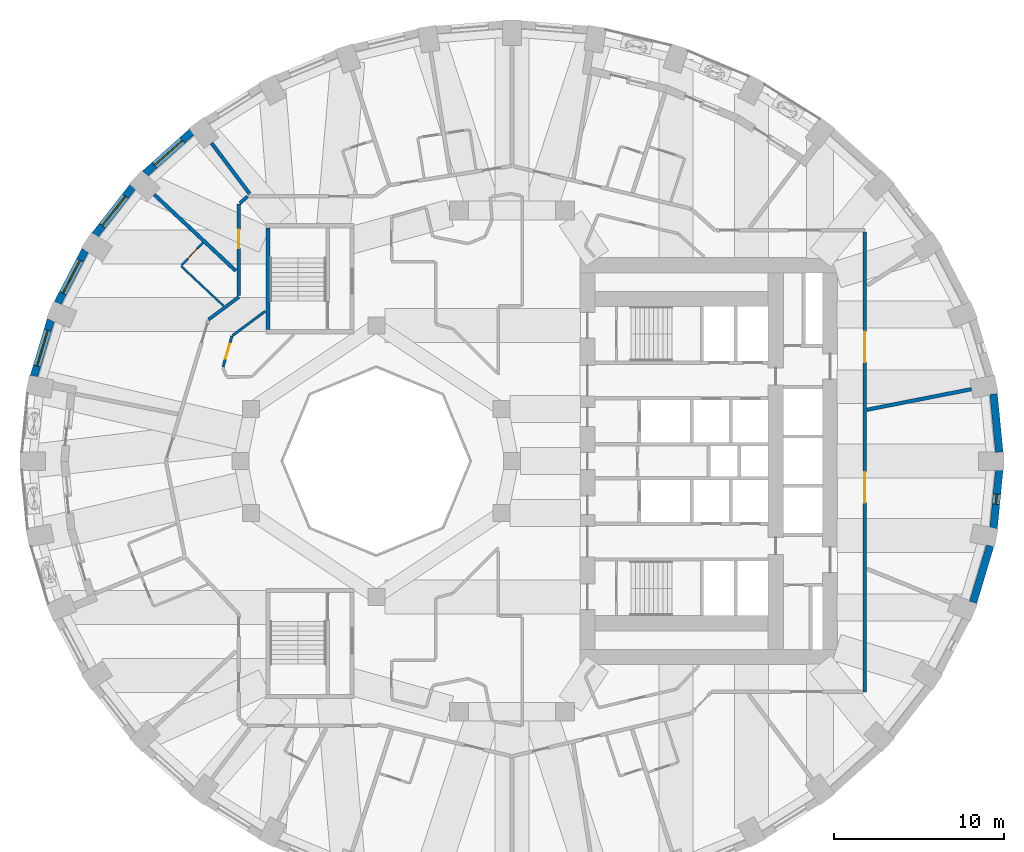
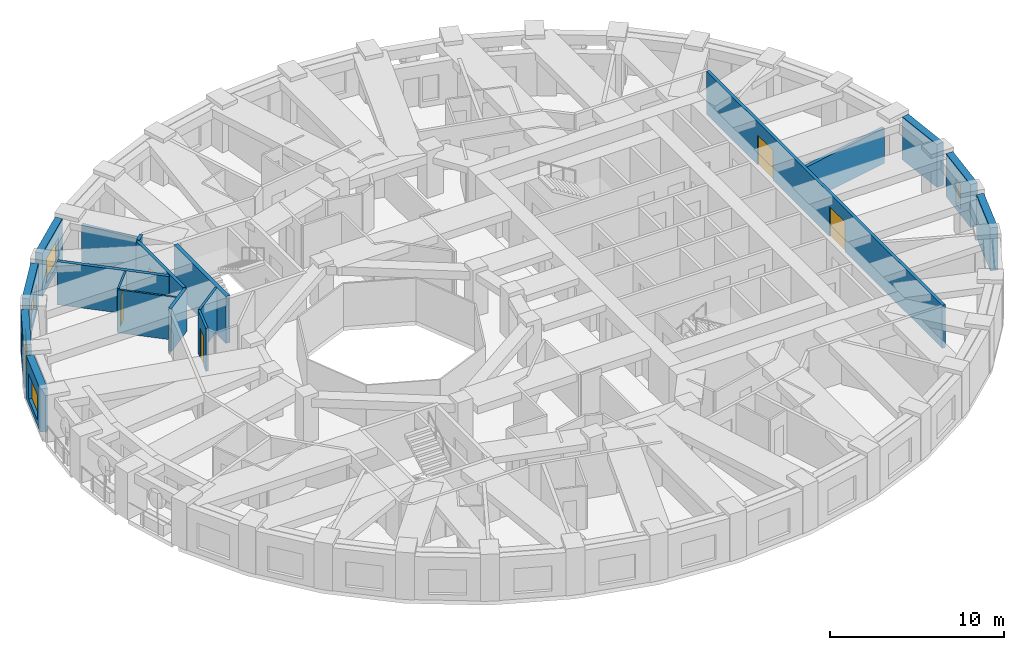
# One storey, part 7 of 14: 19 walls, 5 doors, 5 windows, 10 openings.
"""IFC4 building model written with IfcOpenShell, lengths in metres."""

from ifc_helpers import new_model, si_unit, direction, frame, frame_2d, origin, place, context, subcontext, project, spatial, rectangle, extrude, material, layer, layer_set, type_object, element, fill, save


model = new_model("IFC4")

# Units and contexts
model_context = context("Model", 3, precision=1e-05, world=origin(), true_north=direction((0.0, 1.0)))
body_context = subcontext(model_context, "Body", "Model", "MODEL_VIEW")
ifc_project = project(units=[si_unit("LENGTHUNIT", "METRE"), si_unit("AREAUNIT", "SQUARE_METRE"), si_unit("VOLUMEUNIT", "CUBIC_METRE"), si_unit("PLANEANGLEUNIT", "RADIAN"), si_unit("MASSUNIT", "GRAM", prefix="KILO")], contexts=[model_context])

# Site, building, storey
site_placement = place(None, origin())
site = spatial("IfcSite", under=ifc_project, at=site_placement, CompositionType="ELEMENT")
building_placement = place(site_placement, origin())
building = spatial("IfcBuilding", under=site, at=building_placement, Name="Taillehof Tower", CompositionType="ELEMENT")
storey_placement = place(building_placement, frame((0.0, 0.0, 25.0)))
storey = spatial("IfcBuildingStorey", under=building, at=storey_placement, Name="L05", CompositionType="ELEMENT", Elevation=25.0)

# Wall
ifc_material_1 = material(Name="Brick masonry", Category="masonry")
ifc_layer_1 = layer(ifc_material_1, 0.449951171875)
ifc_layer_set_1 = layer_set([ifc_layer_1], Name="Brick infill wall 450")
wall_type_1 = type_object("IfcWallType", Name="Brick infill wall 450", PredefinedType="SOLIDWALL", material=ifc_layer_set_1)
wall_1_placement = place(storey_placement, frame((28.721923828125, 0.530029296875, 0.0), z_axis=(0.0, 0.0, 1.0), x_axis=(-0.097389581596, 0.995246336038, 0.0)))
element("IfcWall", 1, at=wall_1_placement, inside=storey, type_object=wall_type_1, Name="Brick wall L05 bay 1", PredefinedType="SOLIDWALL", context=body_context, shape_type="SweptSolid", body=[
    extrude(rectangle(XDim=3.44189453125, YDim=0.449951171875, at=frame_2d((1.720947265625, 0.0))), origin(), (0.0, 0.0, 1.0), 3.02001953125),
])

# Wall, opening, window
wall_2_placement = place(storey_placement, frame((-18.87060546875, 19.406982421875, 0.0), z_axis=(0.0, 0.0, 1.0), x_axis=(-0.745526233716, -0.66647628228, 0.0)))
wall_2 = element("IfcWall", 2, at=wall_2_placement, inside=storey, type_object=wall_type_1, Name="Brick wall L05 bay 14", PredefinedType="SOLIDWALL", context=body_context, shape_type="SweptSolid", body=[
    extrude(rectangle(XDim=3.69677734375, YDim=0.449951171875, at=frame_2d((1.848388671875, 0.0))), origin(), (0.0, 0.0, 1.0), 3.02001953125),
])
opening_1_placement = place(wall_2_placement, frame((0.74853515625, 0.0, 0.39990234375)))
opening_1 = element("IfcOpeningElement", 3, at=opening_1_placement, cuts=wall_2, Name="Opening W1", PredefinedType="OPENING", context=body_context, shape_type="SweptSolid", body=[
    extrude(rectangle(XDim=2.199951171875, YDim=1.75, at=frame_2d((1.10009765625, 0.875))), frame((0.0, 0.23486328125, 0.0), z_axis=(0.0, -1.0, 0.0), x_axis=(1.0, 0.0, 0.0)), (0.0, 0.0, 1.0), 0.469970703125),
])
ifc_material_2 = material(Name="Aluminium window frame with clear double glazing", Category="aluminium")
window_type_1 = type_object("IfcWindowType", Name="Deep-set window 2200x1750", PartitioningType="SINGLE_PANEL", PredefinedType="WINDOW", material=ifc_material_2)
window_1_placement = place(opening_1_placement, origin())
window_1 = element("IfcWindow", 4, at=window_1_placement, inside=storey, type_object=window_type_1, Name="W1", OverallHeight=1.75, OverallWidth=2.199951171875, PartitioningType="SINGLE_PANEL", PredefinedType="WINDOW", context=body_context, shape_type="SweptSolid", body=[
    extrude(rectangle(XDim=2.199951171875, YDim=1.75, at=frame_2d((1.10009765625, 0.875))), frame((0.0, 0.034912109375, 0.0), z_axis=(0.0, -1.0, 0.0), x_axis=(1.0, 0.0, 0.0)), (0.0, 0.0, 1.0), 0.06005859375),
])
fill(opening_1, window_1)

wall_3_placement = place(storey_placement, frame((-22.3515625, 16.169677734375, 0.0), z_axis=(0.0, 0.0, 1.0), x_axis=(-0.616661975264, -0.787228053529, 0.0)))
wall_3 = element("IfcWall", 5, at=wall_3_placement, inside=storey, type_object=wall_type_1, Name="Brick wall L05 bay 15", PredefinedType="SOLIDWALL", context=body_context, shape_type="SweptSolid", body=[
    extrude(rectangle(XDim=3.60986328125, YDim=0.449951171875, at=frame_2d((1.804931640625, 0.0))), origin(), (0.0, 0.0, 1.0), 3.02001953125),
])
opening_2_placement = place(wall_3_placement, frame((0.704833984375, 0.0, 0.39990234375)))
opening_2 = element("IfcOpeningElement", 6, at=opening_2_placement, cuts=wall_3, Name="Opening W1", PredefinedType="OPENING", context=body_context, shape_type="SweptSolid", body=[
    extrude(rectangle(XDim=2.199951171875, YDim=1.75, at=frame_2d((1.10009765625, 0.875))), frame((0.0, 0.23486328125, 0.0), z_axis=(0.0, -1.0, 0.0), x_axis=(1.0, 0.0, 0.0)), (0.0, 0.0, 1.0), 0.469970703125),
])
window_2_placement = place(opening_2_placement, origin())
window_2 = element("IfcWindow", 7, at=window_2_placement, inside=storey, type_object=window_type_1, Name="W1", OverallHeight=1.75, OverallWidth=2.199951171875, PartitioningType="SINGLE_PANEL", PredefinedType="WINDOW", context=body_context, shape_type="SweptSolid", body=[
    extrude(rectangle(XDim=2.199951171875, YDim=1.75, at=frame_2d((1.10009765625, 0.875))), frame((0.0, 0.034912109375, 0.0), z_axis=(0.0, -1.0, 0.0), x_axis=(1.0, 0.0, 0.0)), (0.0, 0.0, 1.0), 0.06005859375),
])
fill(opening_2, window_2)

wall_4_placement = place(storey_placement, frame((-25.152099609375, 12.436767578125, 0.0), z_axis=(0.0, 0.0, 1.0), x_axis=(-0.462492775226, -0.886623050041, 0.0)))
wall_4 = element("IfcWall", 8, at=wall_4_placement, inside=storey, type_object=wall_type_1, Name="Brick wall L05 bay 16", PredefinedType="SOLIDWALL", context=body_context, shape_type="SweptSolid", body=[
    extrude(rectangle(XDim=3.531982421875, YDim=0.449951171875, at=frame_2d((1.76611328125, 0.0))), origin(), (0.0, 0.0, 1.0), 3.02001953125),
])
opening_3_placement = place(wall_4_placement, frame((0.666015625, 0.0, 0.39990234375)))
opening_3 = element("IfcOpeningElement", 9, at=opening_3_placement, cuts=wall_4, Name="Opening W1", PredefinedType="OPENING", context=body_context, shape_type="SweptSolid", body=[
    extrude(rectangle(XDim=2.199951171875, YDim=1.75, at=frame_2d((1.10009765625, 0.875))), frame((0.0, 0.23486328125, 0.0), z_axis=(0.0, -1.0, 0.0), x_axis=(1.0, 0.0, 0.0)), (0.0, 0.0, 1.0), 0.469970703125),
])
window_3_placement = place(opening_3_placement, origin())
window_3 = element("IfcWindow", 10, at=window_3_placement, inside=storey, type_object=window_type_1, Name="W1", OverallHeight=1.75, OverallWidth=2.199951171875, PartitioningType="SINGLE_PANEL", PredefinedType="WINDOW", context=body_context, shape_type="SweptSolid", body=[
    extrude(rectangle(XDim=2.199951171875, YDim=1.75, at=frame_2d((1.10009765625, 0.875))), frame((0.0, 0.034912109375, 0.0), z_axis=(0.0, -1.0, 0.0), x_axis=(1.0, 0.0, 0.0)), (0.0, 0.0, 1.0), 0.06005859375),
])
fill(opening_3, window_3)

wall_5_placement = place(storey_placement, frame((-27.184814453125, 8.322998046875, 0.0), z_axis=(0.0, 0.0, 1.0), x_axis=(-0.287064133733, -0.957911364963, 0.0)))
wall_5 = element("IfcWall", 11, at=wall_5_placement, inside=storey, type_object=wall_type_1, Name="Brick wall L05 bay 17", PredefinedType="SOLIDWALL", context=body_context, shape_type="SweptSolid", body=[
    extrude(rectangle(XDim=3.473388671875, YDim=0.449951171875, at=frame_2d((1.73681640625, 0.0))), origin(), (0.0, 0.0, 1.0), 3.02001953125),
])
opening_4_placement = place(wall_5_placement, frame((0.63671875, 0.0, 0.39990234375)))
opening_4 = element("IfcOpeningElement", 12, at=opening_4_placement, cuts=wall_5, Name="Opening W1", PredefinedType="OPENING", context=body_context, shape_type="SweptSolid", body=[
    extrude(rectangle(XDim=2.199951171875, YDim=1.75, at=frame_2d((1.10009765625, 0.875))), frame((0.0, 0.23486328125, 0.0), z_axis=(0.0, -1.0, 0.0), x_axis=(1.0, 0.0, 0.0)), (0.0, 0.0, 1.0), 0.469970703125),
])
window_4_placement = place(opening_4_placement, origin())
window_4 = element("IfcWindow", 13, at=window_4_placement, inside=storey, type_object=window_type_1, Name="W1", OverallHeight=1.75, OverallWidth=2.199951171875, PartitioningType="SINGLE_PANEL", PredefinedType="WINDOW", context=body_context, shape_type="SweptSolid", body=[
    extrude(rectangle(XDim=2.199951171875, YDim=1.75, at=frame_2d((1.10009765625, 0.875))), frame((0.0, 0.034912109375, 0.0), z_axis=(0.0, -1.0, 0.0), x_axis=(1.0, 0.0, 0.0)), (0.0, 0.0, 1.0), 0.06005859375),
])
fill(opening_4, window_4)

# Wall
wall_6_placement = place(storey_placement, frame((27.184814453125, -8.322998046875, 0.0), z_axis=(0.0, 0.0, 1.0), x_axis=(0.287064133733, 0.957911364963, 0.0)))
element("IfcWall", 14, at=wall_6_placement, inside=storey, type_object=wall_type_1, Name="Brick wall L05 bay 35", PredefinedType="SOLIDWALL", context=body_context, shape_type="SweptSolid", body=[
    extrude(rectangle(XDim=3.473388671875, YDim=0.449951171875, at=frame_2d((1.73681640625, 0.0))), origin(), (0.0, 0.0, 1.0), 3.02001953125),
])

# Wall, opening, window
wall_7_placement = place(storey_placement, frame((28.38671875, -3.95556640625, 0.0), z_axis=(0.0, 0.0, 1.0), x_axis=(0.097389581596, 0.995246336038, 0.0)))
wall_7 = element("IfcWall", 15, at=wall_7_placement, inside=storey, type_object=wall_type_1, Name="Brick wall L05 bay 36", PredefinedType="SOLIDWALL", context=body_context, shape_type="SweptSolid", body=[
    extrude(rectangle(XDim=3.44189453125, YDim=0.449951171875, at=frame_2d((1.720947265625, 0.0))), origin(), (0.0, 0.0, 1.0), 3.02001953125),
])
opening_5_placement = place(wall_7_placement, frame((1.4208984375, 0.0, 0.39990234375)))
opening_5 = element("IfcOpeningElement", 16, at=opening_5_placement, cuts=wall_7, Name="Opening W6", PredefinedType="OPENING", context=body_context, shape_type="SweptSolid", body=[
    extrude(rectangle(XDim=0.60009765625, YDim=1.75, at=frame_2d((0.300048828125, 0.875))), frame((0.0, 0.23486328125, 0.0), z_axis=(0.0, -1.0, 0.0), x_axis=(1.0, 0.0, 0.0)), (0.0, 0.0, 1.0), 0.469970703125),
])
ifc_material_3 = material(Name="Aluminium window frame with clear double glazing", Category="aluminium")
window_type_2 = type_object("IfcWindowType", Name="Slot window 600x1750", PartitioningType="SINGLE_PANEL", PredefinedType="WINDOW", material=ifc_material_3)
window_5_placement = place(opening_5_placement, origin())
window_5 = element("IfcWindow", 17, at=window_5_placement, inside=storey, type_object=window_type_2, Name="W6", OverallHeight=1.75, OverallWidth=0.60009765625, PartitioningType="SINGLE_PANEL", PredefinedType="WINDOW", context=body_context, shape_type="SweptSolid", body=[
    extrude(rectangle(XDim=0.60009765625, YDim=1.75, at=frame_2d((0.300048828125, 0.875))), frame((0.0, 0.034912109375, 0.0), z_axis=(0.0, -1.0, 0.0), x_axis=(1.0, 0.0, 0.0)), (0.0, 0.0, 1.0), 0.06005859375),
])
fill(opening_5, window_5)

# Wall
ifc_material_4 = material(Name="Gypsum board on steel studs, two layers each side", Category="steel")
ifc_layer_2 = layer(ifc_material_4, 0.199951171875)
ifc_layer_set_2 = layer_set([ifc_layer_2], Name="Compartment wall corridor 200")
wall_type_2 = type_object("IfcWallType", Name="Compartment wall corridor 200", PredefinedType="PARTITIONING", material=ifc_layer_set_2)
wall_8_placement = place(storey_placement, frame((-17.88427734375, 8.34375, 0.0), z_axis=(0.0, 0.0, 1.0), x_axis=(0.802260120548, 0.596974621721, 0.0)))
element("IfcWall", 18, at=wall_8_placement, inside=storey, type_object=wall_type_2, Name="Compartment wall", PredefinedType="PARTITIONING", context=body_context, shape_type="SweptSolid", body=[
    extrude(rectangle(XDim=2.223876953125, YDim=0.199951171875, at=frame_2d((1.11181640625, 0.0))), origin(), (0.0, 0.0, 1.0), 3.02001953125),
])

# Wall, opening, door
wall_9_placement = place(storey_placement, frame((-16.10009765625, 9.75146484375, 0.0), z_axis=(0.0, 0.0, 1.0), x_axis=(0.0, 1.0, 0.0)))
wall_9 = element("IfcWall", 19, at=wall_9_placement, inside=storey, type_object=wall_type_2, Name="Compartment wall", PredefinedType="PARTITIONING", context=body_context, shape_type="SweptSolid", body=[
    extrude(rectangle(XDim=5.392578125, YDim=0.199951171875, at=frame_2d((2.6962890625, 0.0))), origin(), (0.0, 0.0, 1.0), 3.02001953125),
])
opening_6_placement = place(wall_9_placement, frame((2.7861328125, 0.0, 0.0)))
opening_6 = element("IfcOpeningElement", 20, at=opening_6_placement, cuts=wall_9, Name="Opening D0551", PredefinedType="OPENING", context=body_context, shape_type="SweptSolid", body=[
    extrude(rectangle(XDim=1.10009765625, YDim=2.10009765625, at=frame_2d((0.550048828125, 1.050048828125))), frame((0.0, 0.10986328125, 0.0), z_axis=(0.0, -1.0, 0.0), x_axis=(1.0, 0.0, 0.0)), (0.0, 0.0, 1.0), 0.219970703125),
])
ifc_material_5 = material(Name="Timber door leaf in steel frame", Category="steel")
door_type_1 = type_object("IfcDoorType", Name="Suite entrance door EI 30 1100 x 2100", OperationType="SINGLE_SWING_LEFT", PredefinedType="DOOR", material=ifc_material_5)
door_1_placement = place(opening_6_placement, origin())
door_1 = element("IfcDoor", 21, at=door_1_placement, inside=storey, type_object=door_type_1, Name="D0551", OperationType="SINGLE_SWING_LEFT", OverallHeight=2.10009765625, OverallWidth=1.10009765625, PredefinedType="DOOR", context=body_context, shape_type="SweptSolid", body=[
    extrude(rectangle(XDim=1.10009765625, YDim=2.10009765625, at=frame_2d((0.550048828125, 1.050048828125))), frame((0.0, 0.02490234375, 0.0), z_axis=(0.0, -1.0, 0.0), x_axis=(1.0, 0.0, 0.0)), (0.0, 0.0, 1.0), 0.050048828125),
])
fill(opening_6, door_1)

# Wall
wall_10_placement = place(storey_placement, frame((-16.04052734375, 15.19775390625, 0.0), z_axis=(0.0, 0.0, 1.0), x_axis=(0.744722115519, 0.667374685359, 0.0)))
element("IfcWall", 22, at=wall_10_placement, inside=storey, type_object=wall_type_2, Name="Compartment wall", PredefinedType="PARTITIONING", context=body_context, shape_type="SweptSolid", body=[
    extrude(rectangle(XDim=0.602783203125, YDim=0.199951171875, at=frame_2d((0.30126953125, 0.0))), origin(), (0.0, 0.0, 1.0), 3.02001953125),
])

# Wall, openings, doors
wall_11_placement = place(storey_placement, frame((20.800048828125, 13.5, 0.0), z_axis=(0.0, 0.0, 1.0), x_axis=(0.0, -1.0, 0.0)))
wall_11 = element("IfcWall", 23, at=wall_11_placement, inside=storey, type_object=wall_type_2, Name="Compartment wall", PredefinedType="PARTITIONING", context=body_context, shape_type="SweptSolid", body=[
    extrude(rectangle(XDim=27.10009765625, YDim=0.199951171875, at=frame_2d((13.550048828125, 0.0))), origin(), (0.0, 0.0, 1.0), 3.02001953125),
])
opening_7_placement = place(wall_11_placement, frame((14.148681640625, 0.0, 0.0)))
opening_7 = element("IfcOpeningElement", 24, at=opening_7_placement, cuts=wall_11, Name="Opening D0570", PredefinedType="OPENING", context=body_context, shape_type="SweptSolid", body=[
    extrude(rectangle(XDim=1.800048828125, YDim=2.10009765625, at=frame_2d((0.89990234375, 1.050048828125))), frame((0.0, 0.10986328125, 0.0), z_axis=(0.0, -1.0, 0.0), x_axis=(1.0, 0.0, 0.0)), (0.0, 0.0, 1.0), 0.219970703125),
])
opening_8_placement = place(wall_11_placement, frame((5.864013671875, 0.0, 0.0)))
opening_8 = element("IfcOpeningElement", 25, at=opening_8_placement, cuts=wall_11, Name="Opening D0571", PredefinedType="OPENING", context=body_context, shape_type="SweptSolid", body=[
    extrude(rectangle(XDim=1.800048828125, YDim=2.10009765625, at=frame_2d((0.89990234375, 1.050048828125))), frame((0.0, 0.10986328125, 0.0), z_axis=(0.0, -1.0, 0.0), x_axis=(1.0, 0.0, 0.0)), (0.0, 0.0, 1.0), 0.219970703125),
])
ifc_material_6 = material(Name="Timber door leaf in steel frame", Category="steel")
door_type_2 = type_object("IfcDoorType", Name="Lounge and meeting room double door EI 30 1800 x 2100", OperationType="SINGLE_SWING_LEFT", PredefinedType="DOOR", material=ifc_material_6)
door_2_placement = place(opening_7_placement, origin())
door_2 = element("IfcDoor", 26, at=door_2_placement, inside=storey, type_object=door_type_2, Name="D0570", OperationType="DOUBLE_DOOR_SINGLE_SWING", OverallHeight=2.10009765625, OverallWidth=1.800048828125, PredefinedType="DOOR", context=body_context, shape_type="SweptSolid", body=[
    extrude(rectangle(XDim=1.800048828125, YDim=2.10009765625, at=frame_2d((0.89990234375, 1.050048828125))), frame((0.0, 0.02490234375, 0.0), z_axis=(0.0, -1.0, 0.0), x_axis=(1.0, 0.0, 0.0)), (0.0, 0.0, 1.0), 0.050048828125),
])
fill(opening_7, door_2)
door_3_placement = place(opening_8_placement, origin())
door_3 = element("IfcDoor", 27, at=door_3_placement, inside=storey, type_object=door_type_2, Name="D0571", OperationType="DOUBLE_DOOR_SINGLE_SWING", OverallHeight=2.10009765625, OverallWidth=1.800048828125, PredefinedType="DOOR", context=body_context, shape_type="SweptSolid", body=[
    extrude(rectangle(XDim=1.800048828125, YDim=2.10009765625, at=frame_2d((0.89990234375, 1.050048828125))), frame((0.0, 0.02490234375, 0.0), z_axis=(0.0, -1.0, 0.0), x_axis=(1.0, 0.0, 0.0)), (0.0, 0.0, 1.0), 0.050048828125),
])
fill(opening_8, door_3)

# Walls
ifc_material_7 = material(Name="Gypsum board on double steel studs with mineral wool", Category="steel")
ifc_layer_3 = layer(ifc_material_7, 0.219970703125)
ifc_layer_set_3 = layer_set([ifc_layer_3], Name="Compartment wall guest room 220")
wall_type_3 = type_object("IfcWallType", Name="Compartment wall guest room 220", PredefinedType="PARTITIONING", material=ifc_layer_set_3)
wall_12_placement = place(storey_placement, frame((27.0849609375, 4.239990234375, 0.0), z_axis=(0.0, 0.0, 1.0), x_axis=(-0.981207724218, -0.192954403772, 0.0)))
element("IfcWall", 28, at=wall_12_placement, inside=storey, type_object=wall_type_3, Name="Compartment wall", PredefinedType="PARTITIONING", context=body_context, shape_type="SweptSolid", body=[
    extrude(rectangle(XDim=6.283447265625, YDim=0.219970703125, at=frame_2d((3.1416015625, 0.0))), origin(), (0.0, 0.0, 1.0), 2.469970703125),
])
wall_13_placement = place(storey_placement, frame((-17.707763671875, 18.7431640625, 0.0), z_axis=(0.0, 0.0, 1.0), x_axis=(0.601172757903, -0.799119086967, 0.0)))
element("IfcWall", 29, at=wall_13_placement, inside=storey, type_object=wall_type_3, Name="Compartment wall", PredefinedType="PARTITIONING", context=body_context, shape_type="SweptSolid", body=[
    extrude(rectangle(XDim=3.728515625, YDim=0.219970703125, at=frame_2d((1.8642578125, 0.0))), origin(), (0.0, 0.0, 1.0), 2.570068359375),
])
wall_14_placement = place(storey_placement, frame((-21.09326171875, 15.7177734375, 0.0), z_axis=(0.0, 0.0, 1.0), x_axis=(0.73009284205, -0.683347965525, 0.0)))
element("IfcWall", 30, at=wall_14_placement, inside=storey, type_object=wall_type_3, Name="Compartment wall", PredefinedType="PARTITIONING", context=body_context, shape_type="SweptSolid", body=[
    extrude(rectangle(XDim=6.6015625, YDim=0.219970703125, at=frame_2d((3.30078125, 0.0))), origin(), (0.0, 0.0, 1.0), 3.02001953125),
])

# Wall, opening, door
ifc_material_8 = material(Name="Gypsum board on steel studs, two layers each side", Category="steel")
ifc_layer_4 = layer(ifc_material_8, 0.14990234375)
ifc_layer_set_4 = layer_set([ifc_layer_4], Name="Compartment wall service room 150")
wall_type_4 = type_object("IfcWallType", Name="Compartment wall service room 150", PredefinedType="PARTITIONING", material=ifc_layer_set_4)
wall_15_placement = place(storey_placement, frame((-17.031982421875, 5.552001953125, 0.0), z_axis=(0.0, 0.0, 1.0), x_axis=(0.277658349549, 0.96067988473, 0.0)))
wall_15 = element("IfcWall", 31, at=wall_15_placement, inside=storey, type_object=wall_type_4, Name="Compartment wall", PredefinedType="PARTITIONING", context=body_context, shape_type="SweptSolid", body=[
    extrude(rectangle(XDim=1.8984375, YDim=0.14990234375, at=frame_2d((0.94921875, 0.0))), origin(), (0.0, 0.0, 1.0), 3.02001953125),
])
opening_9_placement = place(wall_15_placement, frame((0.499267578125, 0.0, 0.0)))
opening_9 = element("IfcOpeningElement", 32, at=opening_9_placement, cuts=wall_15, Name="Opening D0575", PredefinedType="OPENING", context=body_context, shape_type="SweptSolid", body=[
    extrude(rectangle(XDim=0.89990234375, YDim=2.10009765625, at=frame_2d((0.449951171875, 1.050048828125))), frame((0.0, 0.0849609375, 0.0), z_axis=(0.0, -1.0, 0.0), x_axis=(1.0, 0.0, 0.0)), (0.0, 0.0, 1.0), 0.169921875),
])
ifc_material_9 = material(Name="Timber door leaf in steel frame", Category="steel")
door_type_3 = type_object("IfcDoorType", Name="Service room door EI 30 900 x 2100", OperationType="SINGLE_SWING_LEFT", PredefinedType="DOOR", material=ifc_material_9)
door_4_placement = place(opening_9_placement, origin())
door_4 = element("IfcDoor", 33, at=door_4_placement, inside=storey, type_object=door_type_3, Name="D0575", OperationType="SINGLE_SWING_LEFT", OverallHeight=2.10009765625, OverallWidth=0.89990234375, PredefinedType="DOOR", context=body_context, shape_type="SweptSolid", body=[
    extrude(rectangle(XDim=0.89990234375, YDim=2.10009765625, at=frame_2d((0.449951171875, 1.050048828125))), frame((0.0, 0.02490234375, 0.0), z_axis=(0.0, -1.0, 0.0), x_axis=(1.0, 0.0, 0.0)), (0.0, 0.0, 1.0), 0.050048828125),
])
fill(opening_9, door_4)

# Walls
wall_16_placement = place(storey_placement, frame((-16.47265625, 7.399658203125, 0.0), z_axis=(0.0, 0.0, 1.0), x_axis=(0.802267063429, 0.596965291233, 0.0)))
element("IfcWall", 34, at=wall_16_placement, inside=storey, type_object=wall_type_4, Name="Compartment wall", PredefinedType="PARTITIONING", context=body_context, shape_type="SweptSolid", body=[
    extrude(rectangle(XDim=2.410400390625, YDim=0.14990234375, at=frame_2d((1.205078125, 0.0))), origin(), (0.0, 0.0, 1.0), 3.02001953125),
])
ifc_material_10 = material(Name="Gypsum board on steel studs, moisture resistant", Category="steel")
ifc_layer_5 = layer(ifc_material_10, 0.1201171875)
ifc_layer_set_5 = layer_set([ifc_layer_5], Name="En-suite wall 120")
wall_type_5 = type_object("IfcWallType", Name="En-suite wall 120", PredefinedType="PARTITIONING", material=ifc_layer_set_5)
wall_17_placement = place(storey_placement, frame((-17.001953125, 9.1494140625, 0.0), z_axis=(0.0, 0.0, 1.0), x_axis=(-0.730093035944, 0.683347758368, 0.0)))
element("IfcWall", 35, at=wall_17_placement, inside=storey, type_object=wall_type_5, Name="En-suite wall", PredefinedType="PARTITIONING", context=body_context, shape_type="SweptSolid", body=[
    extrude(rectangle(XDim=3.4365234375, YDim=0.1201171875, at=frame_2d((1.71826171875, 0.0))), origin(), (0.0, 0.0, 1.0), 3.02001953125),
])

# Wall, opening, door
wall_18_placement = place(storey_placement, frame((-19.469970703125, 11.54150390625, 0.0), z_axis=(0.0, 0.0, 1.0), x_axis=(0.683306289544, 0.730131847456, 0.0)))
wall_18 = element("IfcWall", 36, at=wall_18_placement, inside=storey, type_object=wall_type_5, Name="En-suite wall", PredefinedType="PARTITIONING", context=body_context, shape_type="SweptSolid", body=[
    extrude(rectangle(XDim=1.830078125, YDim=0.1201171875, at=frame_2d((0.9150390625, 0.0))), origin(), (0.0, 0.0, 1.0), 3.02001953125),
])
opening_10_placement = place(wall_18_placement, frame((0.5400390625, 0.0, 0.0)))
opening_10 = element("IfcOpeningElement", 37, at=opening_10_placement, cuts=wall_18, Name="Opening D0553", PredefinedType="OPENING", context=body_context, shape_type="SweptSolid", body=[
    extrude(rectangle(XDim=0.800048828125, YDim=2.10009765625, at=frame_2d((0.39990234375, 1.050048828125))), frame((0.0, 0.070068359375, 0.0), z_axis=(0.0, -1.0, 0.0), x_axis=(1.0, 0.0, 0.0)), (0.0, 0.0, 1.0), 0.14013671875),
])
ifc_material_11 = material(Name="Timber door leaf in steel frame", Category="steel")
door_type_4 = type_object("IfcDoorType", Name="En-suite door 800 x 2100", OperationType="SINGLE_SWING_LEFT", PredefinedType="DOOR", material=ifc_material_11)
door_5_placement = place(opening_10_placement, origin())
door_5 = element("IfcDoor", 38, at=door_5_placement, inside=storey, type_object=door_type_4, Name="D0553", OperationType="SINGLE_SWING_RIGHT", OverallHeight=2.10009765625, OverallWidth=0.800048828125, PredefinedType="DOOR", context=body_context, shape_type="SweptSolid", body=[
    extrude(rectangle(XDim=0.800048828125, YDim=2.10009765625, at=frame_2d((0.39990234375, 1.050048828125))), frame((0.0, 0.02490234375, 0.0), z_axis=(0.0, -1.0, 0.0), x_axis=(1.0, 0.0, 0.0)), (0.0, 0.0, 1.0), 0.050048828125),
])
fill(opening_10, door_5)

# Wall
ifc_material_12 = material(Name="Concrete C50/60", Category="concrete")
ifc_layer_6 = layer(ifc_material_12, 0.25)
ifc_layer_set_6 = layer_set([ifc_layer_6], Name="Stair wall C50/60 250")
wall_type_6 = type_object("IfcWallType", Name="Stair wall C50/60 250", PredefinedType="SHEAR", material=ifc_layer_set_6)
wall_19_placement = place(storey_placement, frame((-14.375, 7.75, -0.280029296875), z_axis=(0.0, 0.0, 1.0), x_axis=(0.0, 1.0, 0.0)))
element("IfcWall", 39, at=wall_19_placement, inside=storey, type_object=wall_type_6, Name="Stair wall SC", PredefinedType="SHEAR", context=body_context, shape_type="SweptSolid", body=[
    extrude(rectangle(XDim=6.0, YDim=0.25, at=frame_2d((3.0, 0.0))), origin(), (0.0, 0.0, 1.0), 3.300048828125),
])

save(model, "model.ifc")
